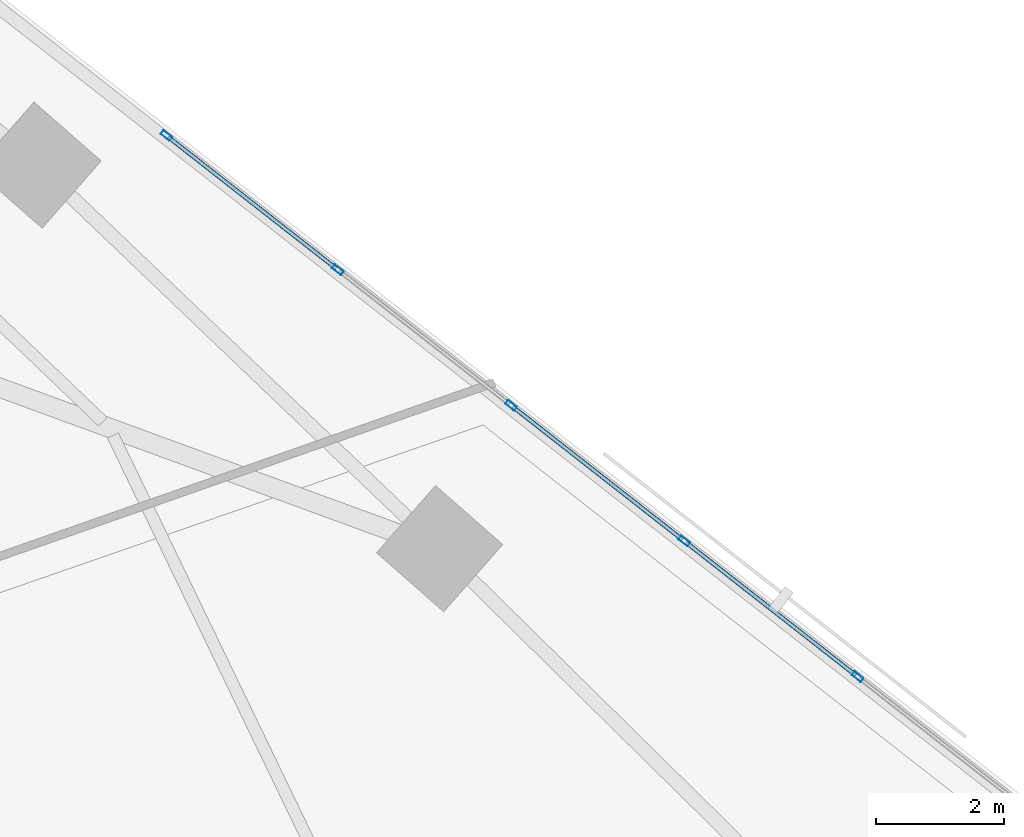
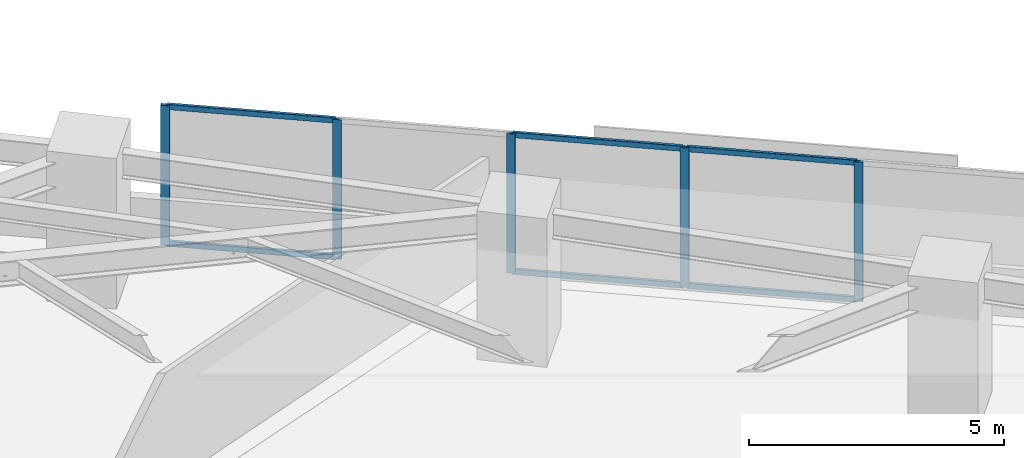
# One storey, part 7 of 16: 11 members, 1 element without a shape of its own.
"""IFC4 building model written with IfcOpenShell, lengths in metres."""

from ifc_helpers import new_model, si_unit, direction, frame, origin, origin_2d, place, context, subcontext, project, spatial, hollow_rectangle, extrude, material, material_profile, profile_set, type_object, element, aggregate, save


model = new_model("IFC4")

# Units and contexts
model_context = context("Model", 3, precision=1e-05, world=origin(), true_north=direction((0.0, 1.0)))
body_context = subcontext(model_context, "Body", "Model", "MODEL_VIEW")
ifc_project = project(units=[si_unit("LENGTHUNIT", "METRE"), si_unit("AREAUNIT", "SQUARE_METRE"), si_unit("VOLUMEUNIT", "CUBIC_METRE"), si_unit("PLANEANGLEUNIT", "RADIAN"), si_unit("MASSUNIT", "GRAM", prefix="KILO")], contexts=[model_context])

# Site, building, storey
site_placement = place(None, origin())
site = spatial("IfcSite", under=ifc_project, at=site_placement, CompositionType="ELEMENT")
building_placement = place(site_placement, origin())
building = spatial("IfcBuilding", under=site, at=building_placement, Name="Narakoshi Arena Tower", CompositionType="ELEMENT")
storey_placement = place(building_placement, frame((0.0, 0.0, 84.89990234375)))
storey = spatial("IfcBuildingStorey", under=building, at=storey_placement, Name="L22", CompositionType="ELEMENT", Elevation=84.89990234375)

# Curtain wall, members
ifc_material = material(Name="Anodised bronze aluminium 6063-T6", Category="aluminium")
curtain_wall_type = type_object("IfcCurtainWallType", Name="CW-HYP-LOW", PredefinedType="NOTDEFINED", material=ifc_material)
curtain_wall_placement = place(storey_placement, origin())
curtain_wall = element("IfcCurtainWall", 1, at=curtain_wall_placement, inside=storey, type_object=curtain_wall_type, Name="L22 Folded Hypotenuse Curtain Wall 1-1", PredefinedType="NOTDEFINED")
ifc_material_profile_1 = material_profile(ifc_material, hollow_rectangle(XDim=0.074951171875, YDim=0.179931640625, WallThickness=0.00390625, OuterFilletRadius=0.0048828125, at=origin_2d()), Name="MUL180x75x4")
ifc_profile_set_1 = profile_set([ifc_material_profile_1], Name="Anodised bronze aluminium 6063-T6")
member_type_1 = type_object("IfcMemberType", Name="MEM-MUL-180", PredefinedType="MULLION", material=ifc_profile_set_1)
member_1_placement = place(storey_placement, frame((107.304443359375, 48.927490234375, 0.0), z_axis=(0.0, 0.0, 1.0), x_axis=(-0.616458234641, -0.787387607817, 0.0)))
member_1 = element("IfcMember", 2, at=member_1_placement, type_object=member_type_1, Name="CW-01 mullion 6", PredefinedType="MULLION", context=body_context, shape_type="SweptSolid", body=[
    extrude(hollow_rectangle(XDim=0.074951171875, YDim=0.179931640625, WallThickness=0.00390625, OuterFilletRadius=0.0048828125, at=origin_2d()), origin(), (0.0, 0.0, 1.0), 3.340087890625),
])
member_2_placement = place(storey_placement, frame((104.5927734375, 51.050537109375, 0.0), z_axis=(0.0, 0.0, 1.0), x_axis=(-0.616458234641, -0.787387607817, 0.0)))
member_2 = element("IfcMember", 3, at=member_2_placement, type_object=member_type_1, Name="CW-01 mullion 7", PredefinedType="MULLION", context=body_context, shape_type="SweptSolid", body=[
    extrude(hollow_rectangle(XDim=0.074951171875, YDim=0.179931640625, WallThickness=0.00390625, OuterFilletRadius=0.0048828125, at=origin_2d()), origin(), (0.0, 0.0, 1.0), 3.340087890625),
])
member_3_placement = place(storey_placement, frame((101.88134765625, 53.17333984375, 0.0), z_axis=(0.0, 0.0, 1.0), x_axis=(-0.616458234641, -0.787387607817, 0.0)))
member_3 = element("IfcMember", 4, at=member_3_placement, type_object=member_type_1, Name="CW-01 mullion 8", PredefinedType="MULLION", context=body_context, shape_type="SweptSolid", body=[
    extrude(hollow_rectangle(XDim=0.074951171875, YDim=0.179931640625, WallThickness=0.00390625, OuterFilletRadius=0.0048828125, at=origin_2d()), origin(), (0.0, 0.0, 1.0), 3.340087890625),
])
member_4_placement = place(storey_placement, frame((99.169677734375, 55.29638671875, 0.0), z_axis=(0.0, 0.0, 1.0), x_axis=(-0.616458234641, -0.787387607817, 0.0)))
member_4 = element("IfcMember", 5, at=member_4_placement, type_object=member_type_1, Name="CW-01 mullion 9", PredefinedType="MULLION", context=body_context, shape_type="SweptSolid", body=[
    extrude(hollow_rectangle(XDim=0.074951171875, YDim=0.179931640625, WallThickness=0.00390625, OuterFilletRadius=0.0048828125, at=origin_2d()), origin(), (0.0, 0.0, 1.0), 3.340087890625),
])
member_5_placement = place(storey_placement, frame((96.48779296875, 57.39599609375, 0.0), z_axis=(0.0, 0.0, 1.0), x_axis=(-0.616458234641, -0.787387607817, 0.0)))
member_5 = element("IfcMember", 6, at=member_5_placement, type_object=member_type_1, Name="CW-01 mullion 10", PredefinedType="MULLION", context=body_context, shape_type="SweptSolid", body=[
    extrude(hollow_rectangle(XDim=0.074951171875, YDim=0.179931640625, WallThickness=0.00390625, OuterFilletRadius=0.0048828125, at=origin_2d()), origin(), (0.0, 0.0, 1.0), 3.340087890625),
])
ifc_material_profile_2 = material_profile(ifc_material, hollow_rectangle(XDim=0.06494140625, YDim=0.1298828125, WallThickness=0.00390625, OuterFilletRadius=0.0048828125, at=origin_2d()), Name="TRN130x65x4")
ifc_profile_set_2 = profile_set([ifc_material_profile_2], Name="Anodised bronze aluminium 6063-T6")
member_type_2 = type_object("IfcMemberType", Name="MEM-TRN-130", PredefinedType="USERDEFINED", material=ifc_profile_set_2)
member_6_placement = place(storey_placement, frame((107.27490234375, 48.95068359375, 0.03271484375), z_axis=(-0.787400998112, 0.616441131149, 0.0), x_axis=(-0.616441131149, -0.787400998112, 0.0)))
member_6 = element("IfcMember", 7, at=member_6_placement, type_object=member_type_2, Name="CW-01 transom 6.1", ObjectType="TRANSOM", PredefinedType="USERDEFINED", context=body_context, shape_type="SweptSolid", body=[
    extrude(hollow_rectangle(XDim=0.06494140625, YDim=0.1298828125, WallThickness=0.00390625, OuterFilletRadius=0.0048828125, at=origin_2d()), origin(), (0.0, 0.0, 1.0), 3.368896484375),
])
member_7_placement = place(storey_placement, frame((107.27490234375, 48.95068359375, 3.3076171875), z_axis=(-0.787400998112, 0.616441131149, 0.0), x_axis=(-0.616441131149, -0.787400998112, 0.0)))
member_7 = element("IfcMember", 8, at=member_7_placement, type_object=member_type_2, Name="CW-01 transom 6.2", ObjectType="TRANSOM", PredefinedType="USERDEFINED", context=body_context, shape_type="SweptSolid", body=[
    extrude(hollow_rectangle(XDim=0.06494140625, YDim=0.1298828125, WallThickness=0.00390625, OuterFilletRadius=0.0048828125, at=origin_2d()), origin(), (0.0, 0.0, 1.0), 3.368896484375),
])
member_8_placement = place(storey_placement, frame((104.563232421875, 51.073486328125, 0.03271484375), z_axis=(-0.787373456673, 0.616476309137, 0.0), x_axis=(-0.616476309137, -0.787373456673, 0.0)))
member_8 = element("IfcMember", 9, at=member_8_placement, type_object=member_type_2, Name="CW-01 transom 7.1", ObjectType="TRANSOM", PredefinedType="USERDEFINED", context=body_context, shape_type="SweptSolid", body=[
    extrude(hollow_rectangle(XDim=0.06494140625, YDim=0.1298828125, WallThickness=0.00390625, OuterFilletRadius=0.0048828125, at=origin_2d()), origin(), (0.0, 0.0, 1.0), 3.36865234375),
])
member_9_placement = place(storey_placement, frame((104.563232421875, 51.073486328125, 3.3076171875), z_axis=(-0.787373456673, 0.616476309137, 0.0), x_axis=(-0.616476309137, -0.787373456673, 0.0)))
member_9 = element("IfcMember", 10, at=member_9_placement, type_object=member_type_2, Name="CW-01 transom 7.2", ObjectType="TRANSOM", PredefinedType="USERDEFINED", context=body_context, shape_type="SweptSolid", body=[
    extrude(hollow_rectangle(XDim=0.06494140625, YDim=0.1298828125, WallThickness=0.00390625, OuterFilletRadius=0.0048828125, at=origin_2d()), origin(), (0.0, 0.0, 1.0), 3.36865234375),
])
member_10_placement = place(storey_placement, frame((99.14013671875, 55.3193359375, 0.03271484375), z_axis=(-0.787347227026, 0.616509808596, 0.0), x_axis=(-0.616509808596, -0.787347227026, 0.0)))
member_10 = element("IfcMember", 11, at=member_10_placement, type_object=member_type_2, Name="CW-01 transom 9.1", ObjectType="TRANSOM", PredefinedType="USERDEFINED", context=body_context, shape_type="SweptSolid", body=[
    extrude(hollow_rectangle(XDim=0.06494140625, YDim=0.1298828125, WallThickness=0.00390625, OuterFilletRadius=0.0048828125, at=origin_2d()), origin(), (0.0, 0.0, 1.0), 3.331298828125),
])
member_11_placement = place(storey_placement, frame((99.14013671875, 55.3193359375, 3.3076171875), z_axis=(-0.787347227026, 0.616509808596, 0.0), x_axis=(-0.616509808596, -0.787347227026, 0.0)))
member_11 = element("IfcMember", 12, at=member_11_placement, type_object=member_type_2, Name="CW-01 transom 9.2", ObjectType="TRANSOM", PredefinedType="USERDEFINED", context=body_context, shape_type="SweptSolid", body=[
    extrude(hollow_rectangle(XDim=0.06494140625, YDim=0.1298828125, WallThickness=0.00390625, OuterFilletRadius=0.0048828125, at=origin_2d()), origin(), (0.0, 0.0, 1.0), 3.331298828125),
])
aggregate(curtain_wall, [member_1, member_2, member_3, member_4, member_5, member_6, member_7, member_8, member_9, member_10, member_11])

save(model, "model.ifc")
